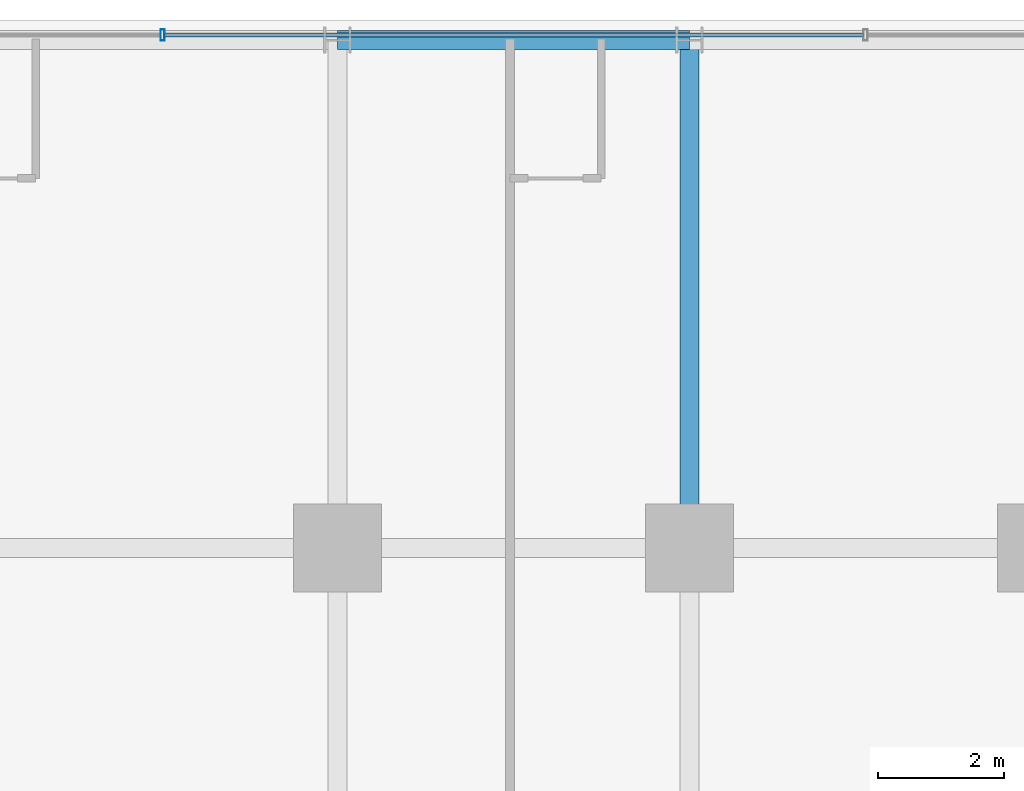
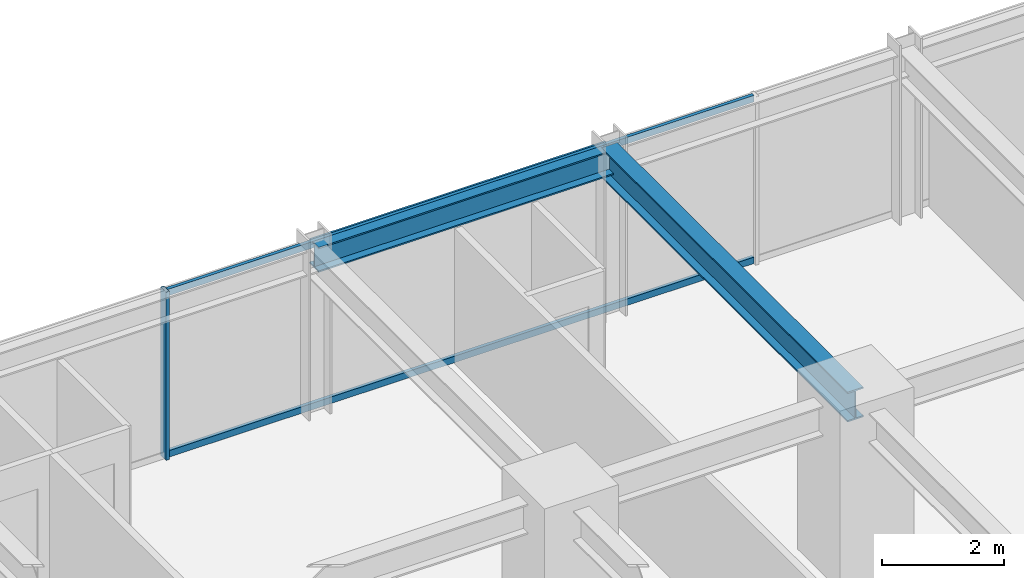
# One storey, part 23 of 37: 3 members, 2 beams, 1 element without a shape of its own.
"""IFC4 building model written with IfcOpenShell, lengths in metres."""

from ifc_helpers import new_model, si_unit, direction, frame, origin, origin_2d, place, context, subcontext, project, spatial, hollow_rectangle, i_section, extrude, source, transform, mapped, material, material_profile, profile_set, type_object, element, aggregate, save


model = new_model("IFC4")

# Units and contexts
model_context = context("Model", 3, precision=1e-05, world=origin(), true_north=direction((0.0, 1.0)))
body_context = subcontext(model_context, "Body", "Model", "MODEL_VIEW")
ifc_project = project(units=[si_unit("LENGTHUNIT", "METRE"), si_unit("AREAUNIT", "SQUARE_METRE"), si_unit("VOLUMEUNIT", "CUBIC_METRE"), si_unit("PLANEANGLEUNIT", "RADIAN"), si_unit("MASSUNIT", "GRAM", prefix="KILO")], contexts=[model_context])

# Site, building, storey
site_placement = place(None, origin())
site = spatial("IfcSite", under=ifc_project, at=site_placement, CompositionType="ELEMENT")
building_placement = place(site_placement, origin())
building = spatial("IfcBuilding", under=site, at=building_placement, Name="Nahalor Promenade Grand Hotel", CompositionType="ELEMENT")
storey_placement = place(building_placement, frame((0.0, 0.0, 36.050048828125)))
storey = spatial("IfcBuildingStorey", under=building, at=storey_placement, Name="L07", CompositionType="ELEMENT", Elevation=36.050048828125)

# Beams
ifc_material_1 = material(Name="Steel S355JR", Category="steel")
ifc_material_profile_1 = material_profile(ifc_material_1, i_section(OverallWidth=0.3, OverallDepth=0.5, WebThickness=0.0145, FlangeThickness=0.028, at=origin_2d()), Name="HEB 500")
ifc_profile_set_1 = profile_set([ifc_material_profile_1], Name="Steel S355JR")
beam_type_1 = type_object("IfcBeamType", Name="Beam-Spandrel-HEB500", PredefinedType="SPANDREL", material=ifc_profile_set_1)
shared_shape_1 = source(origin(), body_context, "Body", "SweptSolid", [
    extrude(i_section(OverallWidth=0.3, OverallDepth=0.5, WebThickness=0.0145, FlangeThickness=0.028, at=origin_2d()), origin(), (0.0, 0.0, 1.0), 5.599853515625),
])
beam_1_placement = place(storey_placement, frame((-8.39990234375, 25.080078125, 3.119873046875), z_axis=(1.0, 0.0, 0.0), x_axis=(0.0, 1.0, 0.0)))
element("IfcBeam", 1, at=beam_1_placement, inside=storey, type_object=beam_type_1, Name="BM-L07-SP-N-1", PredefinedType="SPANDREL", context=body_context, shape_type="MappedRepresentation", body=[
    mapped(shared_shape_1, transform((0.0, 0.0, 0.0), scale=1.0)),
])
ifc_material_profile_2 = material_profile(ifc_material_1, i_section(OverallWidth=0.3, OverallDepth=0.6, WebThickness=0.0155, FlangeThickness=0.03, at=origin_2d()), Name="HEB 600")
ifc_profile_set_2 = profile_set([ifc_material_profile_2], Name="Steel S355JR")
beam_type_2 = type_object("IfcBeamType", Name="Beam-Girder-HEB600", PredefinedType="BEAM", material=ifc_profile_set_2)
shared_shape_2 = source(origin(), body_context, "Body", "SweptSolid", [
    extrude(i_section(OverallWidth=0.3, OverallDepth=0.6, WebThickness=0.0155, FlangeThickness=0.03, at=origin_2d()), origin(), (0.0, 0.0, 1.0), 8.080078125),
])
beam_2_placement = place(storey_placement, frame((-2.800048828125, 17.0, 3.070068359375), z_axis=(0.0, 1.0, 0.0), x_axis=(-1.0, 0.0, 0.0)))
element("IfcBeam", 2, at=beam_2_placement, inside=storey, type_object=beam_type_2, Name="BM-L07-GY-2-4", PredefinedType="BEAM", context=body_context, shape_type="MappedRepresentation", body=[
    mapped(shared_shape_2, transform((0.0, 0.0, 0.0), scale=1.0)),
])

# Curtain wall, members
ifc_material_2 = material(Name="Anodised Bronze Aluminium EN AW-6063 T6", Category="aluminium")
curtain_wall_type = type_object("IfcCurtainWallType", Name="CW2 Typical Hotel Flush Bronze Unitised Curtain Wall", PredefinedType="USERDEFINED", material=ifc_material_2)
curtain_wall_placement = place(storey_placement, origin())
curtain_wall = element("IfcCurtainWall", 3, at=curtain_wall_placement, inside=storey, type_object=curtain_wall_type, Name="L07 Curtain Wall CW-L07-N-1", ObjectType="UNITISED_CURTAIN_WALL", PredefinedType="USERDEFINED")
ifc_material_profile_3 = material_profile(ifc_material_2, hollow_rectangle(XDim=0.065, YDim=0.13, WallThickness=0.004, at=origin_2d()), Name="CWT 65x130x4")
ifc_profile_set_3 = profile_set([ifc_material_profile_3], Name="Anodised Bronze Aluminium EN AW-6063 T6")
member_type_1 = type_object("IfcMemberType", Name="CWT2 Typical Bronze Transom 65x130", PredefinedType="USERDEFINED", material=ifc_profile_set_3)
shared_shape_3 = source(origin(), body_context, "Body", "SweptSolid", [
    extrude(hollow_rectangle(XDim=0.065, YDim=0.13, WallThickness=0.004, at=origin_2d()), origin(), (0.0, 0.0, 1.0), 11.114990234375),
])
member_1_placement = place(storey_placement, frame((-11.1474609375, 25.159912109375, 0.06494140625), z_axis=(1.0, 0.0, 0.0), x_axis=(0.0, 1.0, 0.0)))
member_1 = element("IfcMember", 4, at=member_1_placement, type_object=member_type_1, Name="CW-L07-N-1 Transom 1-0", ObjectType="TRANSOM", PredefinedType="USERDEFINED", context=body_context, shape_type="MappedRepresentation", body=[
    mapped(shared_shape_3, transform((0.0, 0.0, 0.0), scale=1.0)),
])
member_2_placement = place(storey_placement, frame((-11.1474609375, 25.159912109375, 3.304931640625), z_axis=(1.0, 0.0, 0.0), x_axis=(0.0, 1.0, 0.0)))
member_2 = element("IfcMember", 5, at=member_2_placement, type_object=member_type_1, Name="CW-L07-N-1 Transom 1-1", ObjectType="TRANSOM", PredefinedType="USERDEFINED", context=body_context, shape_type="MappedRepresentation", body=[
    mapped(shared_shape_3, transform((0.0, 0.0, 0.0), scale=1.0)),
])
ifc_material_profile_4 = material_profile(ifc_material_2, hollow_rectangle(XDim=0.065, YDim=0.18, WallThickness=0.004, at=origin_2d()), Name="CWM 65x180x4")
ifc_profile_set_4 = profile_set([ifc_material_profile_4], Name="Anodised Bronze Aluminium EN AW-6063 T6")
member_type_2 = type_object("IfcMemberType", Name="CWM2 Typical Bronze Mullion 65x180", PredefinedType="MULLION", material=ifc_profile_set_4)
shared_shape_4 = source(origin(), body_context, "Body", "SweptSolid", [
    extrude(hollow_rectangle(XDim=0.065, YDim=0.18, WallThickness=0.004, at=origin_2d()), origin(), (0.0, 0.0, 1.0), 3.369873046875),
])
member_3_placement = place(storey_placement, frame((-11.179931640625, 25.159912109375, 0.0), z_axis=(0.0, 0.0, 1.0), x_axis=(1.0, 0.0, 0.0)))
member_3 = element("IfcMember", 6, at=member_3_placement, type_object=member_type_2, Name="CW-L07-N-1 Mullion 1", PredefinedType="MULLION", context=body_context, shape_type="MappedRepresentation", body=[
    mapped(shared_shape_4, transform((0.0, 0.0, 0.0), scale=1.0)),
])
aggregate(curtain_wall, [member_3, member_1, member_2])

save(model, "model.ifc")
